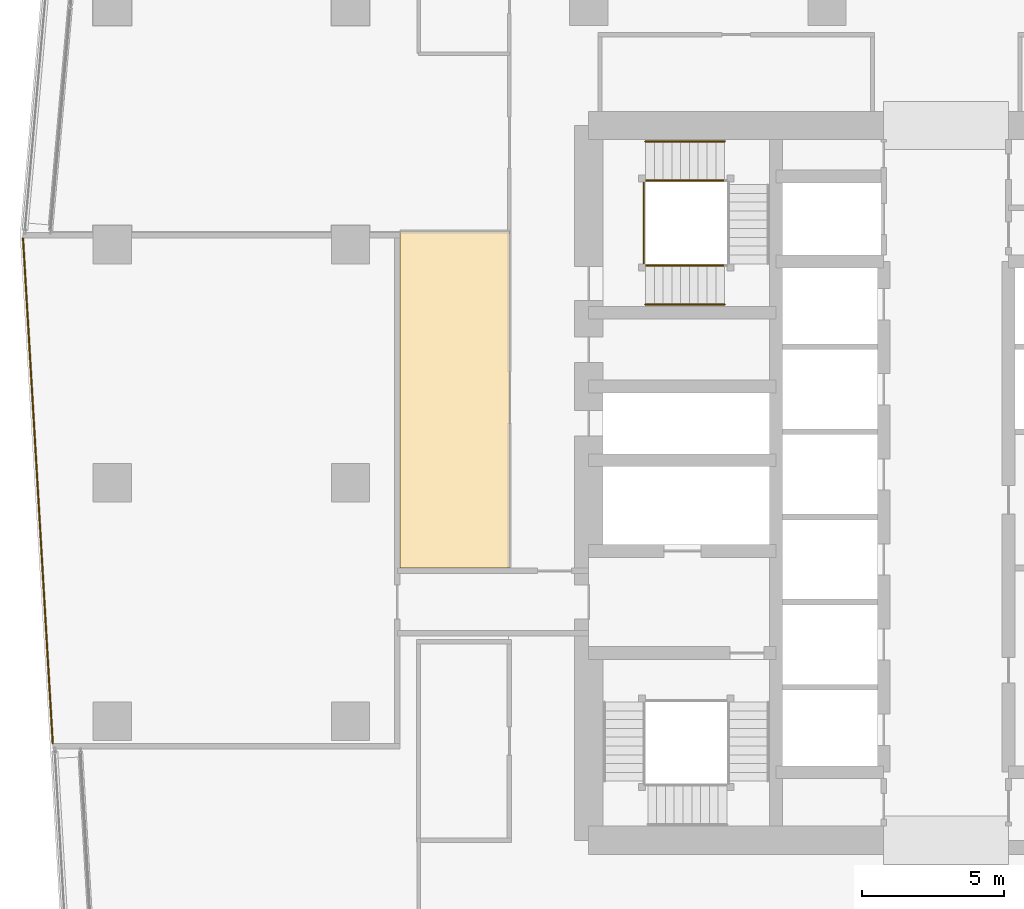
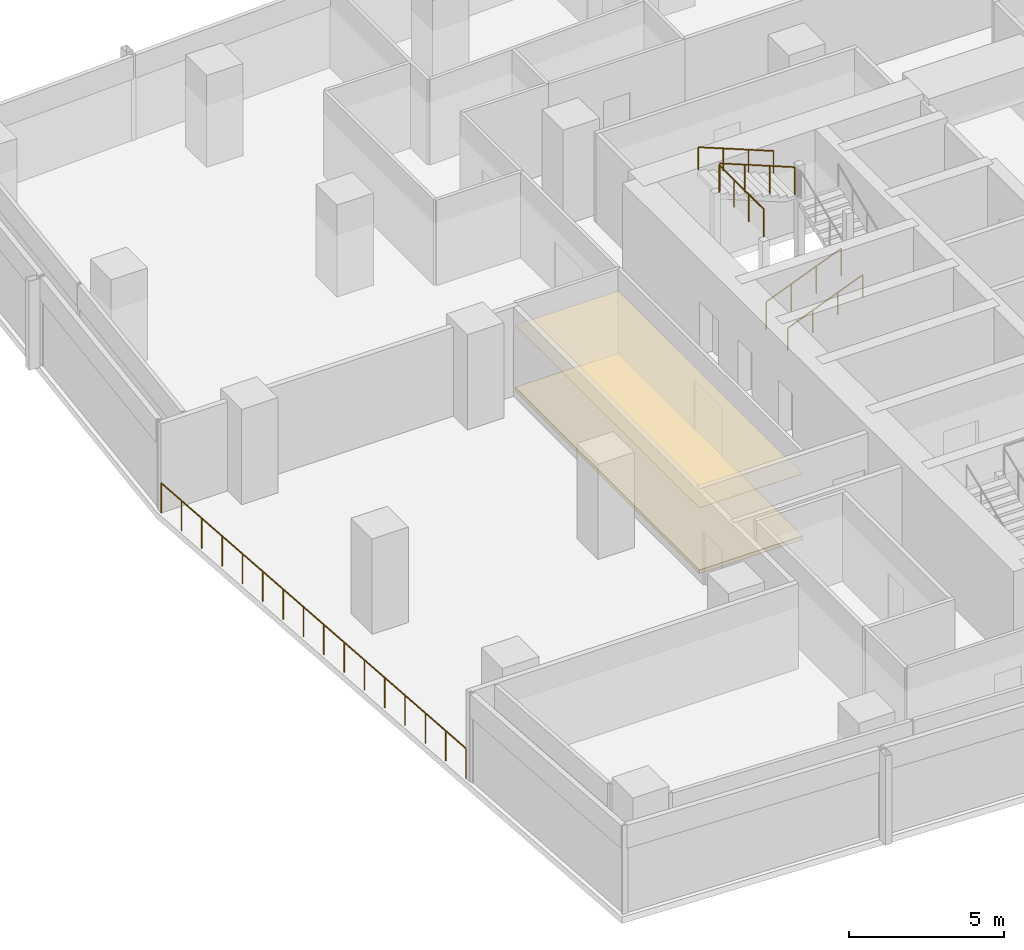
# One storey, part 32 of 39: 6 railings, 2 coverings.
"""IFC4 building model written with IfcOpenShell, lengths in metres."""

from ifc_helpers import new_model, si_unit, direction, frame, origin, origin_2d, place, context, subcontext, project, spatial, polyline, circle, outline, extrude, material, layer, layer_set, type_object, element, save


model = new_model("IFC4")

# Units and contexts
model_context = context("Model", 3, precision=1e-05, world=origin(), true_north=direction((0.0, 1.0)))
body_context = subcontext(model_context, "Body", "Model", "MODEL_VIEW")
ifc_project = project(units=[si_unit("LENGTHUNIT", "METRE"), si_unit("AREAUNIT", "SQUARE_METRE"), si_unit("VOLUMEUNIT", "CUBIC_METRE"), si_unit("PLANEANGLEUNIT", "RADIAN"), si_unit("MASSUNIT", "GRAM", prefix="KILO")], contexts=[model_context])

# Site, building, storey
site_placement = place(None, origin())
site = spatial("IfcSite", under=ifc_project, at=site_placement, CompositionType="ELEMENT")
building_placement = place(site_placement, origin())
building = spatial("IfcBuilding", under=site, at=building_placement, Name="Rekha Terrace Tower", CompositionType="ELEMENT")
storey_placement = place(building_placement, frame((0.0, 0.0, 221.449951171875)))
storey = spatial("IfcBuildingStorey", under=building, at=storey_placement, Name="L56", CompositionType="ELEMENT", Elevation=221.449951171875)

# Covering
ifc_material_1 = material(Name="Mineral fibre tile in exposed grid", Category="finish")
ifc_layer_1 = layer(ifc_material_1, 0.02001953125)
ifc_layer_set_1 = layer_set([ifc_layer_1], Name="Mineral fibre tile in exposed grid")
covering_type_1 = type_object("IfcCoveringType", Name="CL1 600x1200 office grid ceiling", PredefinedType="CEILING", material=ifc_layer_set_1)
covering_1_placement = place(storey_placement, frame((0.0, 0.0, 2.580078125)))
element("IfcCovering", 1, at=covering_1_placement, inside=storey, type_object=covering_type_1, Name="Ceiling L56-14", PredefinedType="CEILING", context=body_context, shape_type="SweptSolid", body=[
    extrude(outline(polyline([(18.551025390625, 30.60107421875), (22.39990234375, 30.60107421875), (22.39990234375, 42.4599609375), (18.551025390625, 42.4599609375), (18.551025390625, 30.60107421875)])), origin(), (0.0, 0.0, 1.0), 0.02001953125),
])

# Railings
ifc_material_2 = material(Name="Stainless steel balustrade", Category="steel")
railing_type_1 = type_object("IfcRailingType", Name="GR1 1100 stair guard", PredefinedType="GUARDRAIL", material=ifc_material_2)
railing_1_placement = place(storey_placement, frame((27.199951171875, 41.264892578125, 0.125)))
element("IfcRailing", 2, at=railing_1_placement, inside=storey, type_object=railing_type_1, Name="Guard ST4 L56 flight 1", PredefinedType="GUARDRAIL", context=body_context, shape_type="SweptSolid", body=[
    extrude(circle(Radius=0.02392578125, at=origin_2d()), frame((0.0, 0.0, 1.076171875), z_axis=(0.927443287984, 0.0, 0.373963831907), x_axis=(0.0, 1.0, 0.0)), (0.0, 0.0, 1.0), 3.00830078125),
    extrude(circle(Radius=0.02099609375, at=origin_2d()), origin(), (0.0, 0.0, 1.0), 1.052001953125),
    extrude(circle(Radius=0.02099609375, at=origin_2d()), frame((0.929931640625, 0.0, 0.375)), (0.0, 0.0, 1.0), 1.052001953125),
    extrude(circle(Radius=0.02099609375, at=origin_2d()), frame((1.860107421875, 0.0, 0.75)), (0.0, 0.0, 1.0), 1.052001953125),
    extrude(circle(Radius=0.02099609375, at=origin_2d()), frame((2.7900390625, 0.0, 1.125)), (0.0, 0.0, 1.0), 1.052001953125),
])
railing_2_placement = place(storey_placement, frame((29.989990234375, 44.260009765625, 2.625)))
element("IfcRailing", 3, at=railing_2_placement, inside=storey, type_object=railing_type_1, Name="Guard ST4 L56 flight 3", PredefinedType="GUARDRAIL", context=body_context, shape_type="SweptSolid", body=[
    extrude(circle(Radius=0.02392578125, at=origin_2d()), frame((0.0, 0.0, 1.076171875), z_axis=(-0.927443287984, 0.0, 0.373963831907), x_axis=(0.0, -1.0, 0.0)), (0.0, 0.0, 1.0), 3.00830078125),
    extrude(circle(Radius=0.02099609375, at=origin_2d()), origin(), (0.0, 0.0, 1.0), 1.052001953125),
    extrude(circle(Radius=0.02099609375, at=origin_2d()), frame((-0.929931640625, 0.0, 0.375)), (0.0, 0.0, 1.0), 1.052001953125),
    extrude(circle(Radius=0.02099609375, at=origin_2d()), frame((-1.860107421875, 0.0, 0.75)), (0.0, 0.0, 1.0), 1.052001953125),
    extrude(circle(Radius=0.02099609375, at=origin_2d()), frame((-2.7900390625, 0.0, 1.125)), (0.0, 0.0, 1.0), 1.052001953125),
])
railing_3_placement = place(storey_placement, frame((27.139892578125, 41.324951171875, 3.75)))
element("IfcRailing", 4, at=railing_3_placement, inside=storey, type_object=railing_type_1, Name="Guard ST4 L56 landing 4", PredefinedType="GUARDRAIL", context=body_context, shape_type="SweptSolid", body=[
    extrude(circle(Radius=0.02392578125, at=origin_2d()), frame((0.0, 0.0, 1.076171875), z_axis=(0.0, 1.0, 0.0), x_axis=(-1.0, 0.0, 0.0)), (0.0, 0.0, 1.0), 2.875),
    extrude(circle(Radius=0.02099609375, at=origin_2d()), origin(), (0.0, 0.0, 1.0), 1.052001953125),
    extrude(circle(Radius=0.02099609375, at=origin_2d()), frame((0.0, 0.958251953125, 0.0)), (0.0, 0.0, 1.0), 1.052001953125),
    extrude(circle(Radius=0.02099609375, at=origin_2d()), frame((0.0, 1.916748046875, 0.0)), (0.0, 0.0, 1.0), 1.052001953125),
    extrude(circle(Radius=0.02099609375, at=origin_2d()), frame((0.0, 2.875, 0.0)), (0.0, 0.0, 1.0), 1.052001953125),
])
ifc_material_3 = material(Name="Steel guard with vertical balusters", Category="steel")
railing_type_2 = type_object("IfcRailingType", Name="GR2 refuge area guard 1200", PredefinedType="GUARDRAIL", material=ifc_material_3)
railing_4_placement = place(storey_placement, frame((6.304931640625, 24.412109375, 0.0)))
element("IfcRailing", 5, at=railing_4_placement, inside=storey, type_object=railing_type_2, Name="Refuge area guard L56", PredefinedType="GUARDRAIL", context=body_context, shape_type="SweptSolid", body=[
    extrude(circle(Radius=0.02392578125, at=origin_2d()), frame((0.0, 0.0, 1.17578125), z_axis=(-0.058768533297, 0.998271636126, 0.0), x_axis=(-0.998271636126, -0.058768533297, 0.0)), (0.0, 0.0, 1.0), 17.8466796875),
    extrude(circle(Radius=0.02099609375, at=origin_2d()), origin(), (0.0, 0.0, 1.0), 1.15185546875),
    extrude(circle(Radius=0.02099609375, at=origin_2d()), frame((-0.06982421875, 1.187744140625, 0.0)), (0.0, 0.0, 1.0), 1.15185546875),
    extrude(circle(Radius=0.02099609375, at=origin_2d()), frame((-0.139892578125, 2.37548828125, 0.0)), (0.0, 0.0, 1.0), 1.15185546875),
    extrude(circle(Radius=0.02099609375, at=origin_2d()), frame((-0.209716796875, 3.563232421875, 0.0)), (0.0, 0.0, 1.0), 1.15185546875),
    extrude(circle(Radius=0.02099609375, at=origin_2d()), frame((-0.27978515625, 4.7509765625, 0.0)), (0.0, 0.0, 1.0), 1.15185546875),
    extrude(circle(Radius=0.02099609375, at=origin_2d()), frame((-0.349609375, 5.938720703125, 0.0)), (0.0, 0.0, 1.0), 1.15185546875),
    extrude(circle(Radius=0.02099609375, at=origin_2d()), frame((-0.41943359375, 7.12646484375, 0.0)), (0.0, 0.0, 1.0), 1.15185546875),
    extrude(circle(Radius=0.02099609375, at=origin_2d()), frame((-0.489501953125, 8.314208984375, 0.0)), (0.0, 0.0, 1.0), 1.15185546875),
    extrude(circle(Radius=0.02099609375, at=origin_2d()), frame((-0.559326171875, 9.501708984375, 0.0)), (0.0, 0.0, 1.0), 1.15185546875),
    extrude(circle(Radius=0.02099609375, at=origin_2d()), frame((-0.62939453125, 10.689453125, 0.0)), (0.0, 0.0, 1.0), 1.15185546875),
    extrude(circle(Radius=0.02099609375, at=origin_2d()), frame((-0.69921875, 11.877197265625, 0.0)), (0.0, 0.0, 1.0), 1.15185546875),
    extrude(circle(Radius=0.02099609375, at=origin_2d()), frame((-0.76904296875, 13.06494140625, 0.0)), (0.0, 0.0, 1.0), 1.15185546875),
    extrude(circle(Radius=0.02099609375, at=origin_2d()), frame((-0.839111328125, 14.252685546875, 0.0)), (0.0, 0.0, 1.0), 1.15185546875),
    extrude(circle(Radius=0.02099609375, at=origin_2d()), frame((-0.908935546875, 15.4404296875, 0.0)), (0.0, 0.0, 1.0), 1.15185546875),
    extrude(circle(Radius=0.02099609375, at=origin_2d()), frame((-0.97900390625, 16.628173828125, 0.0)), (0.0, 0.0, 1.0), 1.15185546875),
    extrude(circle(Radius=0.02099609375, at=origin_2d()), frame((-1.048828125, 17.81591796875, 0.0)), (0.0, 0.0, 1.0), 1.15185546875),
])
ifc_material_4 = material(Name="Stainless steel tube", Category="steel")
railing_type_3 = type_object("IfcRailingType", Name="HR1 900 stair handrail", PredefinedType="HANDRAIL", material=ifc_material_4)
railing_5_placement = place(storey_placement, frame((27.199951171875, 39.885009765625, 0.125)))
element("IfcRailing", 6, at=railing_5_placement, inside=storey, type_object=railing_type_3, Name="Handrail ST4 L56 flight 1", PredefinedType="HANDRAIL", context=body_context, shape_type="SweptSolid", body=[
    extrude(circle(Radius=0.02392578125, at=origin_2d()), frame((0.0, 0.0, 0.8759765625), z_axis=(0.927443287984, 0.0, 0.373963831907), x_axis=(0.0, 1.0, 0.0)), (0.0, 0.0, 1.0), 3.00830078125),
    extrude(circle(Radius=0.02099609375, at=origin_2d()), origin(), (0.0, 0.0, 1.0), 0.851806640625),
    extrude(circle(Radius=0.02099609375, at=origin_2d()), frame((0.929931640625, 0.0, 0.375)), (0.0, 0.0, 1.0), 0.851806640625),
    extrude(circle(Radius=0.02099609375, at=origin_2d()), frame((1.860107421875, 0.0, 0.75)), (0.0, 0.0, 1.0), 0.851806640625),
    extrude(circle(Radius=0.02099609375, at=origin_2d()), frame((2.7900390625, 0.0, 1.125)), (0.0, 0.0, 1.0), 0.851806640625),
])
railing_6_placement = place(storey_placement, frame((29.989990234375, 45.639892578125, 2.625)))
element("IfcRailing", 7, at=railing_6_placement, inside=storey, type_object=railing_type_3, Name="Handrail ST4 L56 flight 3", PredefinedType="HANDRAIL", context=body_context, shape_type="SweptSolid", body=[
    extrude(circle(Radius=0.02392578125, at=origin_2d()), frame((0.0, 0.0, 0.8759765625), z_axis=(-0.927443287984, 0.0, 0.373963831907), x_axis=(0.0, -1.0, 0.0)), (0.0, 0.0, 1.0), 3.00830078125),
    extrude(circle(Radius=0.02099609375, at=origin_2d()), origin(), (0.0, 0.0, 1.0), 0.851806640625),
    extrude(circle(Radius=0.02099609375, at=origin_2d()), frame((-0.929931640625, 0.0, 0.375)), (0.0, 0.0, 1.0), 0.851806640625),
    extrude(circle(Radius=0.02099609375, at=origin_2d()), frame((-1.860107421875, 0.0, 0.75)), (0.0, 0.0, 1.0), 0.851806640625),
    extrude(circle(Radius=0.02099609375, at=origin_2d()), frame((-2.7900390625, 0.0, 1.125)), (0.0, 0.0, 1.0), 0.851806640625),
])

# Covering
ifc_material_5 = material(Name="Calcium sulphate panels on steel pedestals", Category="steel")
ifc_layer_2 = layer(ifc_material_5, 0.14990234375)
ifc_layer_set_2 = layer_set([ifc_layer_2], Name="Calcium sulphate panels on steel pedestals")
covering_type_2 = type_object("IfcCoveringType", Name="RF1 150 raised access floor", PredefinedType="FLOORING", material=ifc_layer_set_2)
covering_2_placement = place(storey_placement, origin())
element("IfcCovering", 8, at=covering_2_placement, inside=storey, type_object=covering_type_2, Name="Raised floor L56-14", PredefinedType="FLOORING", context=body_context, shape_type="SweptSolid", body=[
    extrude(outline(polyline([(18.551025390625, 30.60107421875), (22.39990234375, 30.60107421875), (22.39990234375, 42.4599609375), (18.551025390625, 42.4599609375), (18.551025390625, 30.60107421875)])), origin(), (0.0, 0.0, 1.0), 0.150146484375),
])

save(model, "model.ifc")
